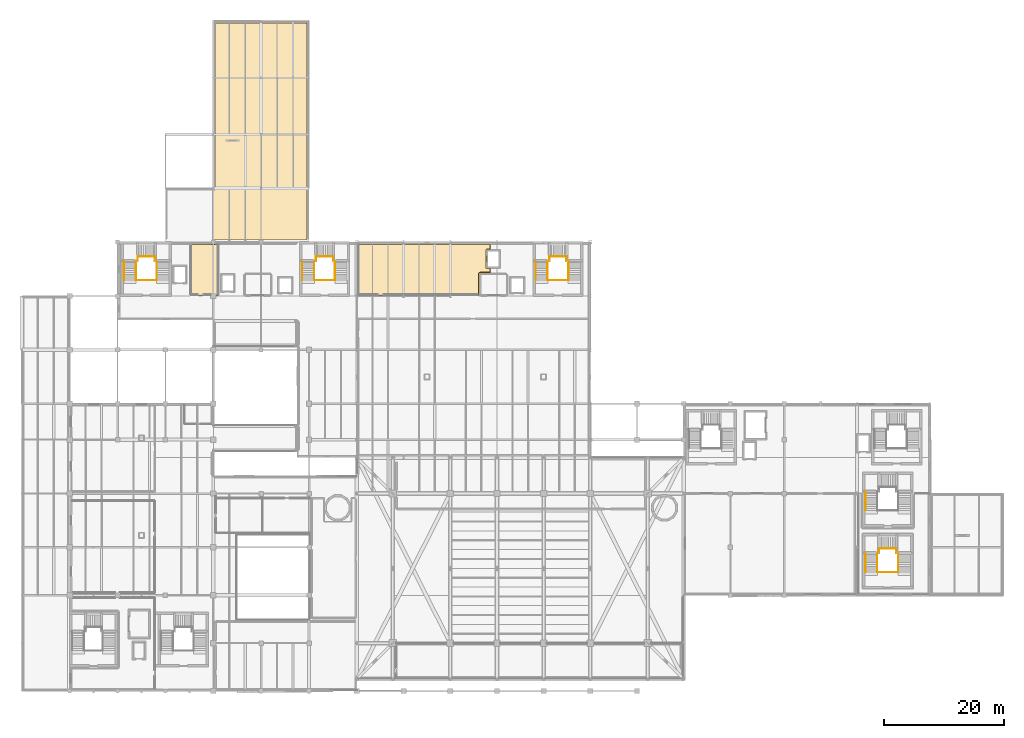
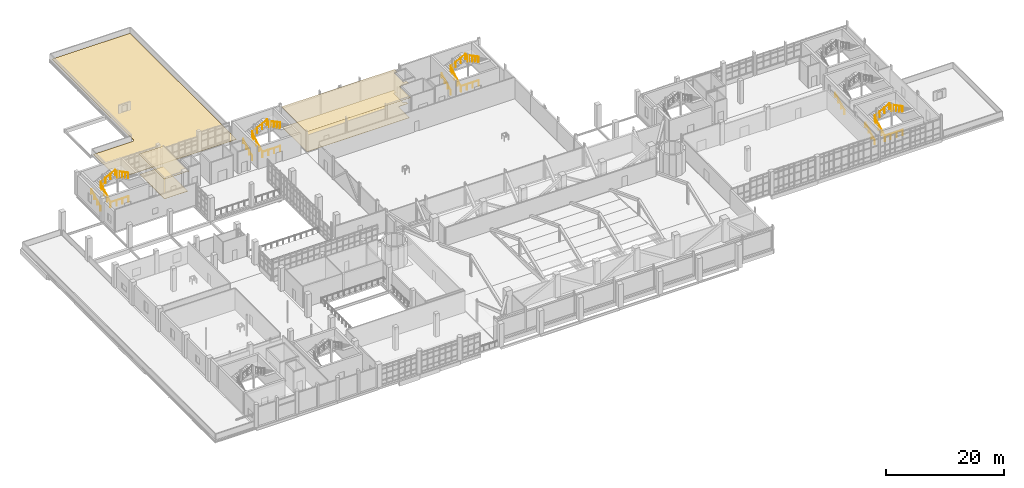
# One storey, part 126 of 127: 13 railings, 5 coverings.
"""IFC4 building model written with IfcOpenShell, lengths in metres."""

import ifcopenshell
import ifcopenshell.guid

model = None  # the IFC model being written
_history = None  # IfcOwnerHistory: only IFC2X3 demands one
_inside = {}  # id of a spatial element -> (the spatial element, [elements in it])
_under = {}  # id of a project, library or spatial element -> (it, [spatial elements below it])
_declared = {}  # id of a project -> (the project, [libraries it declares])
_typed = {}  # id of a type object -> (the type object, [elements of that type])
_made_of = {}  # id of a material, layer set ... -> (it, [elements and type objects made of it])


def new_model(schema):
    """Start an empty IFC model of exactly this schema.

    Asked for "IFC4X3", IfcOpenShell would pick the latest addendum, in which some entities
    have other attributes; the version numbers below select the first issue.
    IFC2X3 requires an IfcOwnerHistory on every rooted entity: one is made here for all.
    """
    global model, _history
    if schema == "IFC4X3":
        model = ifcopenshell.file(schema_version=(4, 3, 0, 0))
    else:
        model = ifcopenshell.file(schema=schema)
    _inside.clear()
    _under.clear()
    _declared.clear()
    _typed.clear()
    _made_of.clear()
    _history = None
    if model.schema == "IFC2X3":
        org = make("IfcOrganization", Name="unknown")
        user = make(
            "IfcPersonAndOrganization",
            ThePerson=make("IfcPerson", FamilyName="unknown"),
            TheOrganization=org,
        )
        app = make(
            "IfcApplication",
            ApplicationDeveloper=org,
            Version="unknown",
            ApplicationFullName="unknown",
            ApplicationIdentifier="unknown",
        )
        _history = make(
            "IfcOwnerHistory",
            OwningUser=user,
            OwningApplication=app,
            ChangeAction="ADDED",
            CreationDate=0,
        )
    return model


def make(cls, **values):
    """One entity of the class cls with the attributes given. An attribute that is None is left unset."""
    return model.create_entity(
        cls, **{name: value for name, value in values.items() if value is not None}
    )


def rooted(cls, **values):
    """An entity with a GlobalId (a new one), such as an element, a storey or a relation."""
    return make(cls, GlobalId=ifcopenshell.guid.new(), OwnerHistory=_history, **values)


def si_unit(unit_type, name, prefix=None):
    """IfcSIUnit, for example si_unit("LENGTHUNIT", "METRE", prefix="MILLI")."""
    return make("IfcSIUnit", UnitType=unit_type, Prefix=prefix, Name=name)


def derived_unit(unit_type, elements):
    """IfcDerivedUnit: a product of units, each with its exponent."""
    return make(
        "IfcDerivedUnit",
        Elements=[
            make("IfcDerivedUnitElement", Unit=unit, Exponent=power)
            for unit, power in elements
        ],
        UnitType=unit_type,
    )


def assignment(units):
    """IfcUnitAssignment: the units of a project."""
    return None if units is None else make("IfcUnitAssignment", Units=units)


def point(xyz):
    """IfcCartesianPoint."""
    return None if xyz is None else make("IfcCartesianPoint", Coordinates=xyz)


def direction(xyz):
    """IfcDirection."""
    return None if xyz is None else make("IfcDirection", DirectionRatios=xyz)


def frame(location, z_axis=None, x_axis=None):
    """IfcAxis2Placement3D, a coordinate frame: its origin and axes. An axis left out is left unset."""
    return make(
        "IfcAxis2Placement3D",
        Location=point(location),
        Axis=direction(z_axis),
        RefDirection=direction(x_axis),
    )


def frame_2d(location, x_axis=None):
    """IfcAxis2Placement2D, a coordinate frame in the plane: its origin and x axis."""
    return make(
        "IfcAxis2Placement2D", Location=point(location), RefDirection=direction(x_axis)
    )


def origin():
    """The frame at (0, 0, 0) with its axes left unset."""
    return frame((0.0, 0.0, 0.0))


def origin_2d():
    """The frame at (0, 0) in the plane with its x axis left unset."""
    return frame_2d((0.0, 0.0))


def place(relative_to, where):
    """IfcLocalPlacement: puts the frame where relative to a parent placement (None: the world)."""
    return make(
        "IfcLocalPlacement", PlacementRelTo=relative_to, RelativePlacement=where
    )


def context(
    kind, dimensions, precision=None, world=None, true_north=None, identifier=None
):
    """IfcGeometricRepresentationContext, for example the 3D "Model" context."""
    return make(
        "IfcGeometricRepresentationContext",
        ContextIdentifier=identifier,
        ContextType=kind,
        CoordinateSpaceDimension=dimensions,
        Precision=precision,
        WorldCoordinateSystem=world,
        TrueNorth=true_north,
    )


def subcontext(parent, identifier, kind, view, scale=None):
    """IfcGeometricRepresentationSubContext, for example "Body" below "Model"."""
    return make(
        "IfcGeometricRepresentationSubContext",
        ContextIdentifier=identifier,
        ContextType=kind,
        ParentContext=parent,
        TargetScale=scale,
        TargetView=view,
    )


def project(units=None, contexts=None):
    """IfcProject with its units and contexts."""
    return rooted(
        "IfcProject",
        Name="project",
        RepresentationContexts=contexts,
        UnitsInContext=assignment(units),
    )


def spatial(cls, under=None, at=None, **own):
    """A site, building, storey or space (cls), placed at a placement, below another one or the project."""
    s = rooted(cls, ObjectPlacement=at, **own)
    if under is not None:
        _under.setdefault(under.id(), (under, []))[1].append(s)
    return s


def polyline(points):
    """IfcPolyline through the points."""
    return make("IfcPolyline", Points=[point(p) for p in points])


def profile(cls, at=None, kind="AREA", **sizes):
    """A parametric profile (cls). Its sizes go by their IFC names, for example OverallWidth=200.0."""
    return make(cls, ProfileType=kind, Position=at, **sizes)


def circle(**sizes):
    """IfcCircleProfileDef."""
    return profile("IfcCircleProfileDef", **sizes)


def outline(outer, holes=None, kind="AREA"):
    """IfcArbitraryClosedProfileDef: a profile drawn as a closed curve; with holes, ...WithVoids."""
    if holes is None:
        return make("IfcArbitraryClosedProfileDef", ProfileType=kind, OuterCurve=outer)
    return make(
        "IfcArbitraryProfileDefWithVoids",
        ProfileType=kind,
        OuterCurve=outer,
        InnerCurves=holes,
    )


def extrude(swept, where, along, depth):
    """IfcExtrudedAreaSolid: the profile swept, set in the frame where, extruded along a direction by depth."""
    return make(
        "IfcExtrudedAreaSolid",
        SweptArea=swept,
        Position=where,
        ExtrudedDirection=direction(along),
        Depth=depth,
    )


def shape(context_of_items, identifier, shape_type, items):
    """IfcShapeRepresentation: the items that make up one representation, for example the "Body"."""
    return make(
        "IfcShapeRepresentation",
        ContextOfItems=context_of_items,
        RepresentationIdentifier=identifier,
        RepresentationType=shape_type,
        Items=items,
    )


def material(Name=None, Category=None):
    """IfcMaterial."""
    return make("IfcMaterial", Name=Name, Category=Category)


def layer(
    of_material, thickness, ventilated=None, Name=None, Category=None, Priority=None
):
    """IfcMaterialLayer: one layer of a wall or slab, of a material (None: an air gap)."""
    return make(
        "IfcMaterialLayer",
        Material=of_material,
        LayerThickness=thickness,
        IsVentilated=ventilated,
        Name=Name,
        Category=Category,
        Priority=Priority,
    )


def layer_set(layers, Name=None):
    """IfcMaterialLayerSet."""
    return make("IfcMaterialLayerSet", MaterialLayers=layers, LayerSetName=Name)


def made_of(thing, what):
    """Note that an element or type object is made of a material, layer set ...; save() writes the relation."""
    if what is not None:
        _made_of.setdefault(what.id(), (what, []))[1].append(thing)
    return thing


def type_object(cls, material=None, **own):
    """A type object (cls), such as IfcWallType, which elements share."""
    return made_of(rooted(cls, **own), material)


def element(
    cls,
    number,
    at=None,
    inside=None,
    cuts=None,
    type_object=None,
    material=None,
    context=None,
    identifier="Body",
    shape_type=None,
    held_by="IfcProductDefinitionShape",
    body=None,
    shapes=None,
    **own,
):
    """One element of the class cls, such as IfcWall. Its Tag is "e" and its number.

    at: its placement. inside: the storey or other place that contains it. cuts: it is an
    opening in that element (IfcRelVoidsElement). A single representation is given by context,
    identifier, shape_type and body (its items); several are given by shapes. held_by: the class
    of the entity that holds the representations. save() writes the other relations.
    """
    e = rooted(cls, Tag="e%d" % number, ObjectPlacement=at, **own)
    if body is not None:
        shapes = [shape(context, identifier, shape_type, body)]
    if shapes is not None:
        e.Representation = make(held_by, Representations=shapes)
    if inside is not None:
        _inside.setdefault(inside.id(), (inside, []))[1].append(e)
    if cuts is not None:
        rooted(
            "IfcRelVoidsElement", RelatingBuildingElement=cuts, RelatedOpeningElement=e
        )
    if type_object is not None:
        _typed.setdefault(type_object.id(), (type_object, []))[1].append(e)
    return made_of(e, material)


def aggregate(whole, parts):
    """IfcRelAggregates: a whole, such as a stair, and the parts it consists of."""
    return rooted("IfcRelAggregates", RelatingObject=whole, RelatedObjects=parts)


def save(model, path):
    """Write the relations noted so far, then the file.

    IfcRelAggregates (storeys below a building ...), IfcRelContainedInSpatialStructure (elements
    in a storey), IfcRelDefinesByType, IfcRelAssociatesMaterial and IfcRelDeclares: one each for
    every whole, place, type object, material and project.
    """
    for whole, parts in _under.values():
        aggregate(whole, parts)
    for where, things in _inside.values():
        rooted(
            "IfcRelContainedInSpatialStructure",
            RelatedElements=things,
            RelatingStructure=where,
        )
    for kind, things in _typed.values():
        rooted("IfcRelDefinesByType", RelatedObjects=things, RelatingType=kind)
    for what, things in _made_of.values():
        rooted("IfcRelAssociatesMaterial", RelatedObjects=things, RelatingMaterial=what)
    for by, libraries in _declared.values():
        rooted("IfcRelDeclares", RelatingContext=by, RelatedDefinitions=libraries)
    model.write(path)


model = new_model("IFC4")

# Units and contexts
model_context = context("Model", 3, precision=1e-05, world=origin(), true_north=direction((0.0, 1.0)))
body_context = subcontext(model_context, "Body", "Model", "MODEL_VIEW")
ifc_project = project(units=[si_unit("LENGTHUNIT", "METRE"), si_unit("AREAUNIT", "SQUARE_METRE"), si_unit("VOLUMEUNIT", "CUBIC_METRE"), si_unit("PLANEANGLEUNIT", "RADIAN"), si_unit("MASSUNIT", "GRAM", prefix="KILO"), derived_unit("THERMALTRANSMITTANCEUNIT", [(si_unit("POWERUNIT", "WATT"), 1), (si_unit("LENGTHUNIT", "METRE"), -2), (si_unit("THERMODYNAMICTEMPERATUREUNIT", "KELVIN"), -1)])], contexts=[model_context])

# Site, building, storey
site_placement = place(None, origin())
site = spatial("IfcSite", under=ifc_project, at=site_placement, CompositionType="ELEMENT")
building_placement = place(site_placement, origin())
building = spatial("IfcBuilding", under=site, at=building_placement, Name="Nallur Shell Playhouse", CompositionType="ELEMENT")
storey_placement = place(building_placement, frame((0.0, 0.0, 5.39990234375)))
storey = spatial("IfcBuildingStorey", under=building, at=storey_placement, Name="L02", CompositionType="ELEMENT", Elevation=5.39990234375)

# Coverings
ifc_material_1 = material(Name="Micro-Perforated Teak Veneer Acoustic Baffle Ceiling")
ifc_layer_1 = layer(ifc_material_1, 0.044921875)
ifc_layer_set_1 = layer_set([ifc_layer_1], Name="Micro-Perforated Teak Veneer Acoustic Baffle Ceiling")
covering_type_1 = type_object("IfcCoveringType", Name="CV-CEIL-AC1", PredefinedType="CEILING", material=ifc_layer_set_1)
covering_1_placement = place(storey_placement, frame((0.0, 0.0, 4.205078125)))
element("IfcCovering", 1, at=covering_1_placement, inside=storey, type_object=covering_type_1, Name="Costume Laundry & Steam Pressing Room suspended acoustic ceiling", PredefinedType="CEILING", context=body_context, shape_type="SweptSolid", body=[
    extrude(outline(polyline([(40.909912109375, 82.7099609375), (40.909912109375, 74.090087890625), (36.090087890625, 74.090087890625), (36.090087890625, 82.7099609375), (40.909912109375, 82.7099609375)])), origin(), (0.0, 0.0, 1.0), 0.044921875),
])
ifc_material_2 = material(Name="Mineral-Fibre High-NRC Suspended Ceiling Tile")
ifc_layer_2 = layer(ifc_material_2, 0.030029296875)
ifc_layer_set_2 = layer_set([ifc_layer_2], Name="Mineral-Fibre High-NRC Suspended Ceiling Tile")
covering_type_2 = type_object("IfcCoveringType", Name="CV-CEIL-AC2", PredefinedType="CEILING", material=ifc_layer_set_2)
covering_2_placement = place(storey_placement, frame((0.0, 0.0, 4.22021484375)))
element("IfcCovering", 2, at=covering_2_placement, inside=storey, type_object=covering_type_2, Name="Prop-Making & Sculpting Studio suspended acoustic ceiling", PredefinedType="CEILING", context=body_context, shape_type="SweptSolid", body=[
    extrude(outline(polyline([(84.59912109375, 77.8701171875), (84.585205078125, 77.869384765625), (84.580810546875, 77.868896484375), (84.569580078125, 77.8671875), (84.56494140625, 77.8662109375), (84.552978515625, 77.86328125), (84.548583984375, 77.86181640625), (84.537109375, 77.85791015625), (84.533447265625, 77.856201171875), (84.521728515625, 77.850830078125), (84.517822265625, 77.8486328125), (84.50732421875, 77.84228515625), (84.50341796875, 77.83984375), (84.494384765625, 77.8330078125), (84.490966796875, 77.830078125), (84.4814453125, 77.821533203125), (84.478515625, 77.818603515625), (84.4697265625, 77.80908203125), (84.466796875, 77.8056640625), (84.460205078125, 77.796630859375), (84.457763671875, 77.792724609375), (84.451416015625, 77.7822265625), (84.44921875, 77.7783203125), (84.443603515625, 77.7666015625), (84.442138671875, 77.7626953125), (84.43798828125, 77.75146484375), (84.436767578125, 77.7470703125), (84.433837890625, 77.735107421875), (84.432861328125, 77.73046875), (84.43115234375, 77.71923828125), (84.4306640625, 77.714599609375), (84.429931640625, 77.700927734375), (84.429931640625, 77.698974609375), (84.429931640625, 74.090087890625), (64.090087890625, 74.090087890625), (64.090087890625, 82.7099609375), (86.31005859375, 82.7099609375), (86.31005859375, 81.7099609375), (85.68994140625, 81.7099609375), (85.68994140625, 78.68994140625), (86.31005859375, 78.68994140625), (86.31005859375, 77.8701171875), (84.60107421875, 77.8701171875), (84.59912109375, 77.8701171875)])), origin(), (0.0, 0.0, 1.0), 0.02978515625),
])
ifc_material_3 = material(Name="Polished Chettinad Oxide & White Marble Terrazzo Flooring", Category="masonry")
ifc_layer_3 = layer(ifc_material_3, 0.050048828125)
ifc_layer_set_3 = layer_set([ifc_layer_3], Name="Polished Chettinad Oxide & White Marble Terrazzo Flooring")
covering_type_3 = type_object("IfcCoveringType", Name="CV-FLOR-TERRAZZO", PredefinedType="FLOORING", material=ifc_layer_set_3)
covering_3_placement = place(storey_placement, origin())
element("IfcCovering", 3, at=covering_3_placement, inside=storey, type_object=covering_type_3, Name="Costume Laundry & Steam Pressing Room floor finish", PredefinedType="FLOORING", context=body_context, shape_type="SweptSolid", body=[
    extrude(outline(polyline([(40.800048828125, 82.60009765625), (40.800048828125, 74.199951171875), (36.199951171875, 74.199951171875), (36.199951171875, 82.60009765625), (40.800048828125, 82.60009765625)])), origin(), (0.0, 0.0, 1.0), 0.050048828125),
])
covering_4_placement = place(storey_placement, origin())
element("IfcCovering", 4, at=covering_4_placement, inside=storey, type_object=covering_type_3, Name="Prop-Making & Sculpting Studio floor finish", PredefinedType="FLOORING", context=body_context, shape_type="SweptSolid", body=[
    extrude(outline(polyline([(85.6328125, 81.80810546875), (85.62451171875, 81.802978515625), (85.61669921875, 81.79736328125), (85.609375, 81.790771484375), (85.602783203125, 81.783447265625), (85.596923828125, 81.775634765625), (85.591796875, 81.76708984375), (85.587646484375, 81.75830078125), (85.584228515625, 81.7490234375), (85.581787109375, 81.739501953125), (85.58056640625, 81.729736328125), (85.580078125, 81.719970703125), (85.580078125, 78.679931640625), (85.58056640625, 78.670166015625), (85.581787109375, 78.660400390625), (85.584228515625, 78.65087890625), (85.587646484375, 78.6416015625), (85.591796875, 78.6328125), (85.596923828125, 78.62451171875), (85.602783203125, 78.61669921875), (85.609375, 78.609375), (85.61669921875, 78.602783203125), (85.62451171875, 78.596923828125), (85.6328125, 78.591796875), (85.6416015625, 78.587646484375), (85.65087890625, 78.584228515625), (85.660400390625, 78.581787109375), (85.670166015625, 78.58056640625), (85.679931640625, 78.580078125), (86.199951171875, 78.580078125), (86.199951171875, 77.97998046875), (84.60009765625, 77.97998046875), (84.59521484375, 77.97998046875), (84.577392578125, 77.97900390625), (84.567626953125, 77.97802734375), (84.55029296875, 77.9755859375), (84.54052734375, 77.973388671875), (84.5234375, 77.96923828125), (84.51416015625, 77.96630859375), (84.497314453125, 77.96044921875), (84.48828125, 77.956787109375), (84.472412109375, 77.94921875), (84.463623046875, 77.944580078125), (84.448486328125, 77.935302734375), (84.4404296875, 77.929931640625), (84.42626953125, 77.91943359375), (84.418701171875, 77.9130859375), (84.405517578125, 77.9013671875), (84.398681640625, 77.894287109375), (84.38671875, 77.88134765625), (84.380615234375, 77.873779296875), (84.3701171875, 77.859619140625), (84.364501953125, 77.851318359375), (84.35546875, 77.836181640625), (84.350830078125, 77.82763671875), (84.34326171875, 77.8115234375), (84.339599609375, 77.802490234375), (84.33349609375, 77.785888671875), (84.330810546875, 77.776611328125), (84.326416015625, 77.759521484375), (84.324462890625, 77.749755859375), (84.322021484375, 77.732421875), (84.321044921875, 77.722412109375), (84.320068359375, 77.704833984375), (84.320068359375, 77.699951171875), (84.320068359375, 74.199951171875), (64.199951171875, 74.199951171875), (64.199951171875, 82.60009765625), (86.199951171875, 82.60009765625), (86.199951171875, 81.820068359375), (85.679931640625, 81.820068359375), (85.670166015625, 81.819580078125), (85.660400390625, 81.818115234375), (85.65087890625, 81.815673828125), (85.6416015625, 81.8125), (85.6328125, 81.80810546875)])), origin(), (0.0, 0.0, 1.0), 0.050048828125),
])
ifc_material_4 = material(Name="Standing-Seam Zinc-Aluminium Acoustic Roof Build-Up", Category="aluminium")
ifc_layer_4 = layer(ifc_material_4, 0.080078125)
ifc_layer_set_4 = layer_set([ifc_layer_4], Name="Standing-Seam Zinc-Aluminium Acoustic Roof Build-Up")
covering_type_4 = type_object("IfcCoveringType", Name="CV-ROOF-MEMB2", PredefinedType="ROOFING", material=ifc_layer_set_4)
covering_5_placement = place(storey_placement, origin())
element("IfcCovering", 5, at=covering_5_placement, inside=storey, type_object=covering_type_4, Name="L02 insulated waterproof roof covering 10", PredefinedType="ROOFING", context=body_context, shape_type="SweptSolid", body=[
    extrude(outline(polyline([(55.64990234375, 119.64990234375), (55.64990234375, 83.35009765625), (32.35009765625, 83.35009765625), (32.35009765625, 91.64990234375), (40.0, 91.64990234375), (40.0341796875, 91.651611328125), (40.068359375, 91.65673828125), (40.1015625, 91.6650390625), (40.1337890625, 91.676513671875), (40.1650390625, 91.69140625), (40.1943359375, 91.708984375), (40.221923828125, 91.7294921875), (40.24755859375, 91.75244140625), (40.2705078125, 91.778076171875), (40.291015625, 91.8056640625), (40.30859375, 91.8349609375), (40.323486328125, 91.8662109375), (40.3349609375, 91.8984375), (40.34326171875, 91.931640625), (40.348388671875, 91.9658203125), (40.35009765625, 92.0), (40.35009765625, 119.64990234375), (55.64990234375, 119.64990234375)])), origin(), (0.0, 0.0, 1.0), 0.080078125),
])

# Railings
ifc_material_5 = material(Name="Brushed Stainless Steel 316 Balustrade & Toughened Infill", Category="steel")
railing_type_1 = type_object("IfcRailingType", Name="RL-GUARD-1100", PredefinedType="BALUSTRADE", material=ifc_material_5)
railing_1_placement = place(storey_placement, frame((56.860107421875, 76.699951171875, 0.0)))
element("IfcRailing", 6, at=railing_1_placement, inside=storey, type_object=railing_type_1, Name="Stair ST-03-L02 inner open-well guard", PredefinedType="BALUSTRADE", context=body_context, shape_type="SweptSolid", body=[
    extrude(circle(Radius=0.02392578125, at=origin_2d()), frame((0.0, 0.0, 1.15576171875), z_axis=(0.0, 0.885215135385, 0.465181861302), x_axis=(-1.0, 0.0, 0.0)), (0.0, 0.0, 1.0), 3.54736328125),
    extrude(circle(Radius=0.02392578125, at=origin_2d()), frame((0.0, 3.14013671875, 2.80615234375), z_axis=(1.0, 0.0, 0.0), x_axis=(0.0, 1.0, 0.0)), (0.0, 0.0, 1.0), 0.304931640625),
    extrude(circle(Radius=0.02392578125, at=origin_2d()), frame((0.304931640625, 3.14013671875, 2.80615234375), z_axis=(0.0, 1.0, 0.0), x_axis=(-1.0, 0.0, 0.0)), (0.0, 0.0, 1.0), 0.760009765625),
    extrude(circle(Radius=0.02392578125, at=origin_2d()), frame((0.304931640625, 3.900146484375, 2.80615234375), z_axis=(0.886245843587, 0.0, 0.46321518188), x_axis=(0.0, 1.0, 0.0)), (0.0, 0.0, 1.0), 3.23828125),
    extrude(circle(Radius=0.02392578125, at=origin_2d()), frame((3.1748046875, 3.900146484375, 4.30615234375), z_axis=(0.0, -1.0, 0.0), x_axis=(1.0, 0.0, 0.0)), (0.0, 0.0, 1.0), 0.760009765625),
    extrude(circle(Radius=0.02392578125, at=origin_2d()), frame((3.1748046875, 3.14013671875, 4.30615234375), z_axis=(1.0, 0.0, 0.0), x_axis=(0.0, 1.0, 0.0)), (0.0, 0.0, 1.0), 0.30517578125),
    extrude(circle(Radius=0.02392578125, at=origin_2d()), frame((3.47998046875, 3.14013671875, 4.30615234375), z_axis=(0.0, -0.885243475438, 0.465127927773), x_axis=(1.0, 0.0, 0.0)), (0.0, 0.0, 1.0), 3.547119140625),
    extrude(circle(Radius=0.02099609375, at=origin_2d()), origin(), (0.0, 0.0, 1.0), 1.1318359375),
    extrude(circle(Radius=0.02099609375, at=origin_2d()), frame((0.0, 1.046630859375, 0.550048828125)), (0.0, 0.0, 1.0), 1.1318359375),
    extrude(circle(Radius=0.02099609375, at=origin_2d()), frame((0.0, 2.093505859375, 1.10009765625)), (0.0, 0.0, 1.0), 1.1318359375),
    extrude(circle(Radius=0.02099609375, at=origin_2d()), frame((0.0, 3.14013671875, 1.650146484375)), (0.0, 0.0, 1.0), 1.1318359375),
    extrude(circle(Radius=0.02099609375, at=origin_2d()), frame((0.304931640625, 3.14013671875, 1.650146484375)), (0.0, 0.0, 1.0), 1.1318359375),
    extrude(circle(Radius=0.02099609375, at=origin_2d()), frame((0.304931640625, 3.900146484375, 1.650146484375)), (0.0, 0.0, 1.0), 1.1318359375),
    extrude(circle(Radius=0.02099609375, at=origin_2d()), frame((1.261474609375, 3.900146484375, 2.150146484375)), (0.0, 0.0, 1.0), 1.1318359375),
    extrude(circle(Radius=0.02099609375, at=origin_2d()), frame((2.21826171875, 3.900146484375, 2.650146484375)), (0.0, 0.0, 1.0), 1.1318359375),
    extrude(circle(Radius=0.02099609375, at=origin_2d()), frame((3.1748046875, 3.900146484375, 3.150146484375)), (0.0, 0.0, 1.0), 1.1318359375),
    extrude(circle(Radius=0.02099609375, at=origin_2d()), frame((3.1748046875, 3.14013671875, 3.150146484375)), (0.0, 0.0, 1.0), 1.1318359375),
    extrude(circle(Radius=0.02099609375, at=origin_2d()), frame((3.47998046875, 3.14013671875, 3.150146484375)), (0.0, 0.0, 1.0), 1.1318359375),
    extrude(circle(Radius=0.02099609375, at=origin_2d()), frame((3.47998046875, 2.093505859375, 3.7001953125)), (0.0, 0.0, 1.0), 1.1318359375),
    extrude(circle(Radius=0.02099609375, at=origin_2d()), frame((3.47998046875, 1.046630859375, 4.25)), (0.0, 0.0, 1.0), 1.1318359375),
    extrude(circle(Radius=0.02099609375, at=origin_2d()), frame((3.47998046875, 0.0, 4.800048828125)), (0.0, 0.0, 1.0), 1.1318359375),
])
railing_2_placement = place(storey_placement, frame((56.860107421875, 76.639892578125, 0.0)))
element("IfcRailing", 7, at=railing_2_placement, inside=storey, type_object=railing_type_1, Name="Stair ST-03-L02 floor-well guard", PredefinedType="BALUSTRADE", context=body_context, shape_type="SweptSolid", body=[
    extrude(circle(Radius=0.02392578125, at=origin_2d()), frame((0.0, 0.0, 1.09619140625), z_axis=(1.0, 0.0, 0.0), x_axis=(0.0, 1.0, 0.0)), (0.0, 0.0, 1.0), 3.47998046875),
    extrude(circle(Radius=0.02099609375, at=origin_2d()), origin(), (0.0, 0.0, 1.0), 1.072021484375),
    extrude(circle(Radius=0.02099609375, at=origin_2d()), frame((1.159912109375, 0.0, 0.0)), (0.0, 0.0, 1.0), 1.072021484375),
    extrude(circle(Radius=0.02099609375, at=origin_2d()), frame((2.320068359375, 0.0, 0.0)), (0.0, 0.0, 1.0), 1.072021484375),
    extrude(circle(Radius=0.02099609375, at=origin_2d()), frame((3.47998046875, 0.0, 0.0)), (0.0, 0.0, 1.0), 1.072021484375),
])
railing_3_placement = place(storey_placement, frame((95.860107421875, 76.699951171875, 0.0)))
element("IfcRailing", 8, at=railing_3_placement, inside=storey, type_object=railing_type_1, Name="Stair ST-04-L02 inner open-well guard", PredefinedType="BALUSTRADE", context=body_context, shape_type="SweptSolid", body=[
    extrude(circle(Radius=0.02392578125, at=origin_2d()), frame((0.0, 0.0, 1.15576171875), z_axis=(0.0, 0.885215135385, 0.465181861302), x_axis=(-1.0, 0.0, 0.0)), (0.0, 0.0, 1.0), 3.54736328125),
    extrude(circle(Radius=0.02392578125, at=origin_2d()), frame((0.0, 3.14013671875, 2.80615234375), z_axis=(1.0, 0.0, 0.0), x_axis=(0.0, 1.0, 0.0)), (0.0, 0.0, 1.0), 0.304931640625),
    extrude(circle(Radius=0.02392578125, at=origin_2d()), frame((0.304931640625, 3.14013671875, 2.80615234375), z_axis=(0.0, 1.0, 0.0), x_axis=(-1.0, 0.0, 0.0)), (0.0, 0.0, 1.0), 0.760009765625),
    extrude(circle(Radius=0.02392578125, at=origin_2d()), frame((0.304931640625, 3.900146484375, 2.80615234375), z_axis=(0.886245843587, 0.0, 0.46321518188), x_axis=(0.0, 1.0, 0.0)), (0.0, 0.0, 1.0), 3.23828125),
    extrude(circle(Radius=0.02392578125, at=origin_2d()), frame((3.1748046875, 3.900146484375, 4.30615234375), z_axis=(0.0, -1.0, 0.0), x_axis=(1.0, 0.0, 0.0)), (0.0, 0.0, 1.0), 0.760009765625),
    extrude(circle(Radius=0.02392578125, at=origin_2d()), frame((3.1748046875, 3.14013671875, 4.30615234375), z_axis=(1.0, 0.0, 0.0), x_axis=(0.0, 1.0, 0.0)), (0.0, 0.0, 1.0), 0.30517578125),
    extrude(circle(Radius=0.02392578125, at=origin_2d()), frame((3.47998046875, 3.14013671875, 4.30615234375), z_axis=(0.0, -0.885243475438, 0.465127927773), x_axis=(1.0, 0.0, 0.0)), (0.0, 0.0, 1.0), 3.547119140625),
    extrude(circle(Radius=0.02099609375, at=origin_2d()), origin(), (0.0, 0.0, 1.0), 1.1318359375),
    extrude(circle(Radius=0.02099609375, at=origin_2d()), frame((0.0, 1.046630859375, 0.550048828125)), (0.0, 0.0, 1.0), 1.1318359375),
    extrude(circle(Radius=0.02099609375, at=origin_2d()), frame((0.0, 2.093505859375, 1.10009765625)), (0.0, 0.0, 1.0), 1.1318359375),
    extrude(circle(Radius=0.02099609375, at=origin_2d()), frame((0.0, 3.14013671875, 1.650146484375)), (0.0, 0.0, 1.0), 1.1318359375),
    extrude(circle(Radius=0.02099609375, at=origin_2d()), frame((0.304931640625, 3.14013671875, 1.650146484375)), (0.0, 0.0, 1.0), 1.1318359375),
    extrude(circle(Radius=0.02099609375, at=origin_2d()), frame((0.304931640625, 3.900146484375, 1.650146484375)), (0.0, 0.0, 1.0), 1.1318359375),
    extrude(circle(Radius=0.02099609375, at=origin_2d()), frame((1.261474609375, 3.900146484375, 2.150146484375)), (0.0, 0.0, 1.0), 1.1318359375),
    extrude(circle(Radius=0.02099609375, at=origin_2d()), frame((2.21826171875, 3.900146484375, 2.650146484375)), (0.0, 0.0, 1.0), 1.1318359375),
    extrude(circle(Radius=0.02099609375, at=origin_2d()), frame((3.1748046875, 3.900146484375, 3.150146484375)), (0.0, 0.0, 1.0), 1.1318359375),
    extrude(circle(Radius=0.02099609375, at=origin_2d()), frame((3.1748046875, 3.14013671875, 3.150146484375)), (0.0, 0.0, 1.0), 1.1318359375),
    extrude(circle(Radius=0.02099609375, at=origin_2d()), frame((3.47998046875, 3.14013671875, 3.150146484375)), (0.0, 0.0, 1.0), 1.1318359375),
    extrude(circle(Radius=0.02099609375, at=origin_2d()), frame((3.47998046875, 2.093505859375, 3.7001953125)), (0.0, 0.0, 1.0), 1.1318359375),
    extrude(circle(Radius=0.02099609375, at=origin_2d()), frame((3.47998046875, 1.046630859375, 4.25)), (0.0, 0.0, 1.0), 1.1318359375),
    extrude(circle(Radius=0.02099609375, at=origin_2d()), frame((3.47998046875, 0.0, 4.800048828125)), (0.0, 0.0, 1.0), 1.1318359375),
])
railing_4_placement = place(storey_placement, frame((95.860107421875, 76.639892578125, 0.0)))
element("IfcRailing", 9, at=railing_4_placement, inside=storey, type_object=railing_type_1, Name="Stair ST-04-L02 floor-well guard", PredefinedType="BALUSTRADE", context=body_context, shape_type="SweptSolid", body=[
    extrude(circle(Radius=0.02392578125, at=origin_2d()), frame((0.0, 0.0, 1.09619140625), z_axis=(1.0, 0.0, 0.0), x_axis=(0.0, 1.0, 0.0)), (0.0, 0.0, 1.0), 3.47998046875),
    extrude(circle(Radius=0.02099609375, at=origin_2d()), origin(), (0.0, 0.0, 1.0), 1.072021484375),
    extrude(circle(Radius=0.02099609375, at=origin_2d()), frame((1.159912109375, 0.0, 0.0)), (0.0, 0.0, 1.0), 1.072021484375),
    extrude(circle(Radius=0.02099609375, at=origin_2d()), frame((2.320068359375, 0.0, 0.0)), (0.0, 0.0, 1.0), 1.072021484375),
    extrude(circle(Radius=0.02099609375, at=origin_2d()), frame((3.47998046875, 0.0, 0.0)), (0.0, 0.0, 1.0), 1.072021484375),
])
railing_5_placement = place(storey_placement, frame((27.06005859375, 76.699951171875, 0.0)))
element("IfcRailing", 10, at=railing_5_placement, inside=storey, type_object=railing_type_1, Name="Stair ST-06-L02 inner open-well guard", PredefinedType="BALUSTRADE", context=body_context, shape_type="SweptSolid", body=[
    extrude(circle(Radius=0.02392578125, at=origin_2d()), frame((0.0, 0.0, 1.15576171875), z_axis=(0.0, 0.885215135385, 0.465181861302), x_axis=(-1.0, 0.0, 0.0)), (0.0, 0.0, 1.0), 3.54736328125),
    extrude(circle(Radius=0.02392578125, at=origin_2d()), frame((0.0, 3.14013671875, 2.80615234375), z_axis=(1.0, 0.0, 0.0), x_axis=(0.0, 1.0, 0.0)), (0.0, 0.0, 1.0), 0.304931640625),
    extrude(circle(Radius=0.02392578125, at=origin_2d()), frame((0.304931640625, 3.14013671875, 2.80615234375), z_axis=(0.0, 1.0, 0.0), x_axis=(-1.0, 0.0, 0.0)), (0.0, 0.0, 1.0), 0.760009765625),
    extrude(circle(Radius=0.02392578125, at=origin_2d()), frame((0.304931640625, 3.900146484375, 2.80615234375), z_axis=(0.886262018935, 0.0, 0.463184233101), x_axis=(0.0, 1.0, 0.0)), (0.0, 0.0, 1.0), 3.238525390625),
    extrude(circle(Radius=0.02392578125, at=origin_2d()), frame((3.175048828125, 3.900146484375, 4.30615234375), z_axis=(0.0, -1.0, 0.0), x_axis=(1.0, 0.0, 0.0)), (0.0, 0.0, 1.0), 0.760009765625),
    extrude(circle(Radius=0.02392578125, at=origin_2d()), frame((3.175048828125, 3.14013671875, 4.30615234375), z_axis=(1.0, 0.0, 0.0), x_axis=(0.0, 1.0, 0.0)), (0.0, 0.0, 1.0), 0.304931640625),
    extrude(circle(Radius=0.02392578125, at=origin_2d()), frame((3.47998046875, 3.14013671875, 4.30615234375), z_axis=(0.0, -0.885243475438, 0.465127927773), x_axis=(1.0, 0.0, 0.0)), (0.0, 0.0, 1.0), 3.547119140625),
    extrude(circle(Radius=0.02099609375, at=origin_2d()), origin(), (0.0, 0.0, 1.0), 1.1318359375),
    extrude(circle(Radius=0.02099609375, at=origin_2d()), frame((0.0, 1.046630859375, 0.550048828125)), (0.0, 0.0, 1.0), 1.1318359375),
    extrude(circle(Radius=0.02099609375, at=origin_2d()), frame((0.0, 2.093505859375, 1.10009765625)), (0.0, 0.0, 1.0), 1.1318359375),
    extrude(circle(Radius=0.02099609375, at=origin_2d()), frame((0.0, 3.14013671875, 1.650146484375)), (0.0, 0.0, 1.0), 1.1318359375),
    extrude(circle(Radius=0.02099609375, at=origin_2d()), frame((0.304931640625, 3.14013671875, 1.650146484375)), (0.0, 0.0, 1.0), 1.1318359375),
    extrude(circle(Radius=0.02099609375, at=origin_2d()), frame((0.304931640625, 3.900146484375, 1.650146484375)), (0.0, 0.0, 1.0), 1.1318359375),
    extrude(circle(Radius=0.02099609375, at=origin_2d()), frame((1.26171875, 3.900146484375, 2.150146484375)), (0.0, 0.0, 1.0), 1.1318359375),
    extrude(circle(Radius=0.02099609375, at=origin_2d()), frame((2.21826171875, 3.900146484375, 2.650146484375)), (0.0, 0.0, 1.0), 1.1318359375),
    extrude(circle(Radius=0.02099609375, at=origin_2d()), frame((3.175048828125, 3.900146484375, 3.150146484375)), (0.0, 0.0, 1.0), 1.1318359375),
    extrude(circle(Radius=0.02099609375, at=origin_2d()), frame((3.175048828125, 3.14013671875, 3.150146484375)), (0.0, 0.0, 1.0), 1.1318359375),
    extrude(circle(Radius=0.02099609375, at=origin_2d()), frame((3.47998046875, 3.14013671875, 3.150146484375)), (0.0, 0.0, 1.0), 1.1318359375),
    extrude(circle(Radius=0.02099609375, at=origin_2d()), frame((3.47998046875, 2.093505859375, 3.7001953125)), (0.0, 0.0, 1.0), 1.1318359375),
    extrude(circle(Radius=0.02099609375, at=origin_2d()), frame((3.47998046875, 1.046630859375, 4.25)), (0.0, 0.0, 1.0), 1.1318359375),
    extrude(circle(Radius=0.02099609375, at=origin_2d()), frame((3.47998046875, 0.0, 4.800048828125)), (0.0, 0.0, 1.0), 1.1318359375),
])
railing_6_placement = place(storey_placement, frame((27.06005859375, 76.639892578125, 0.0)))
element("IfcRailing", 11, at=railing_6_placement, inside=storey, type_object=railing_type_1, Name="Stair ST-06-L02 floor-well guard", PredefinedType="BALUSTRADE", context=body_context, shape_type="SweptSolid", body=[
    extrude(circle(Radius=0.02392578125, at=origin_2d()), frame((0.0, 0.0, 1.09619140625), z_axis=(1.0, 0.0, 0.0), x_axis=(0.0, 1.0, 0.0)), (0.0, 0.0, 1.0), 3.47998046875),
    extrude(circle(Radius=0.02099609375, at=origin_2d()), origin(), (0.0, 0.0, 1.0), 1.072021484375),
    extrude(circle(Radius=0.02099609375, at=origin_2d()), frame((1.159912109375, 0.0, 0.0)), (0.0, 0.0, 1.0), 1.072021484375),
    extrude(circle(Radius=0.02099609375, at=origin_2d()), frame((2.320068359375, 0.0, 0.0)), (0.0, 0.0, 1.0), 1.072021484375),
    extrude(circle(Radius=0.02099609375, at=origin_2d()), frame((3.47998046875, 0.0, 0.0)), (0.0, 0.0, 1.0), 1.072021484375),
])
railing_7_placement = place(storey_placement, frame((150.9599609375, 27.89990234375, 0.0)))
element("IfcRailing", 12, at=railing_7_placement, inside=storey, type_object=railing_type_1, Name="Stair ST-08-L02 inner open-well guard", PredefinedType="BALUSTRADE", context=body_context, shape_type="SweptSolid", body=[
    extrude(circle(Radius=0.02392578125, at=origin_2d()), frame((0.0, 0.0, 1.15576171875), z_axis=(0.0, 0.885215135385, 0.465181861302), x_axis=(-1.0, 0.0, 0.0)), (0.0, 0.0, 1.0), 3.54736328125),
    extrude(circle(Radius=0.02392578125, at=origin_2d()), frame((0.0, 3.14013671875, 2.80615234375), z_axis=(1.0, 0.0, 0.0), x_axis=(0.0, 1.0, 0.0)), (0.0, 0.0, 1.0), 0.304931640625),
    extrude(circle(Radius=0.02392578125, at=origin_2d()), frame((0.304931640625, 3.14013671875, 2.80615234375), z_axis=(0.0, 1.0, 0.0), x_axis=(-1.0, 0.0, 0.0)), (0.0, 0.0, 1.0), 0.760009765625),
    extrude(circle(Radius=0.02392578125, at=origin_2d()), frame((0.304931640625, 3.900146484375, 2.80615234375), z_axis=(0.886262018935, 0.0, 0.463184233101), x_axis=(0.0, 1.0, 0.0)), (0.0, 0.0, 1.0), 3.238525390625),
    extrude(circle(Radius=0.02392578125, at=origin_2d()), frame((3.175048828125, 3.900146484375, 4.30615234375), z_axis=(0.0, -1.0, 0.0), x_axis=(1.0, 0.0, 0.0)), (0.0, 0.0, 1.0), 0.760009765625),
    extrude(circle(Radius=0.02392578125, at=origin_2d()), frame((3.175048828125, 3.14013671875, 4.30615234375), z_axis=(1.0, 0.0, 0.0), x_axis=(0.0, 1.0, 0.0)), (0.0, 0.0, 1.0), 0.304931640625),
    extrude(circle(Radius=0.02392578125, at=origin_2d()), frame((3.47998046875, 3.14013671875, 4.30615234375), z_axis=(0.0, -0.885243475438, 0.465127927773), x_axis=(1.0, 0.0, 0.0)), (0.0, 0.0, 1.0), 3.547119140625),
    extrude(circle(Radius=0.02099609375, at=origin_2d()), origin(), (0.0, 0.0, 1.0), 1.1318359375),
    extrude(circle(Radius=0.02099609375, at=origin_2d()), frame((0.0, 1.046630859375, 0.550048828125)), (0.0, 0.0, 1.0), 1.1318359375),
    extrude(circle(Radius=0.02099609375, at=origin_2d()), frame((0.0, 2.093505859375, 1.10009765625)), (0.0, 0.0, 1.0), 1.1318359375),
    extrude(circle(Radius=0.02099609375, at=origin_2d()), frame((0.0, 3.14013671875, 1.650146484375)), (0.0, 0.0, 1.0), 1.1318359375),
    extrude(circle(Radius=0.02099609375, at=origin_2d()), frame((0.304931640625, 3.14013671875, 1.650146484375)), (0.0, 0.0, 1.0), 1.1318359375),
    extrude(circle(Radius=0.02099609375, at=origin_2d()), frame((0.304931640625, 3.900146484375, 1.650146484375)), (0.0, 0.0, 1.0), 1.1318359375),
    extrude(circle(Radius=0.02099609375, at=origin_2d()), frame((1.26171875, 3.900146484375, 2.150146484375)), (0.0, 0.0, 1.0), 1.1318359375),
    extrude(circle(Radius=0.02099609375, at=origin_2d()), frame((2.21826171875, 3.900146484375, 2.650146484375)), (0.0, 0.0, 1.0), 1.1318359375),
    extrude(circle(Radius=0.02099609375, at=origin_2d()), frame((3.175048828125, 3.900146484375, 3.150146484375)), (0.0, 0.0, 1.0), 1.1318359375),
    extrude(circle(Radius=0.02099609375, at=origin_2d()), frame((3.175048828125, 3.14013671875, 3.150146484375)), (0.0, 0.0, 1.0), 1.1318359375),
    extrude(circle(Radius=0.02099609375, at=origin_2d()), frame((3.47998046875, 3.14013671875, 3.150146484375)), (0.0, 0.0, 1.0), 1.1318359375),
    extrude(circle(Radius=0.02099609375, at=origin_2d()), frame((3.47998046875, 2.093505859375, 3.7001953125)), (0.0, 0.0, 1.0), 1.1318359375),
    extrude(circle(Radius=0.02099609375, at=origin_2d()), frame((3.47998046875, 1.046630859375, 4.25)), (0.0, 0.0, 1.0), 1.1318359375),
    extrude(circle(Radius=0.02099609375, at=origin_2d()), frame((3.47998046875, 0.0, 4.800048828125)), (0.0, 0.0, 1.0), 1.1318359375),
])
railing_8_placement = place(storey_placement, frame((150.9599609375, 27.840087890625, 0.0)))
element("IfcRailing", 13, at=railing_8_placement, inside=storey, type_object=railing_type_1, Name="Stair ST-08-L02 floor-well guard", PredefinedType="BALUSTRADE", context=body_context, shape_type="SweptSolid", body=[
    extrude(circle(Radius=0.02392578125, at=origin_2d()), frame((0.0, 0.0, 1.09619140625), z_axis=(1.0, 0.0, 0.0), x_axis=(0.0, 1.0, 0.0)), (0.0, 0.0, 1.0), 3.47998046875),
    extrude(circle(Radius=0.02099609375, at=origin_2d()), origin(), (0.0, 0.0, 1.0), 1.072021484375),
    extrude(circle(Radius=0.02099609375, at=origin_2d()), frame((1.159912109375, 0.0, 0.0)), (0.0, 0.0, 1.0), 1.072021484375),
    extrude(circle(Radius=0.02099609375, at=origin_2d()), frame((2.320068359375, 0.0, 0.0)), (0.0, 0.0, 1.0), 1.072021484375),
    extrude(circle(Radius=0.02099609375, at=origin_2d()), frame((3.47998046875, 0.0, 0.0)), (0.0, 0.0, 1.0), 1.072021484375),
])
ifc_material_6 = material(Name="Stainless Steel 316 Continuous Tubular Handrail", Category="steel")
railing_type_2 = type_object("IfcRailingType", Name="RL-HANDRAIL-900", PredefinedType="HANDRAIL", material=ifc_material_6)
for number, where, name in (
    (14, (54.8798828125, 76.699951171875, 0.0), "Stair ST-03-L02 outer handrail F1"),
    (15, (93.8798828125, 76.699951171875, 0.0), "Stair ST-04-L02 outer handrail F1"),
    (16, (25.080078125, 76.699951171875, 0.0), "Stair ST-06-L02 outer handrail F1"),
    (17, (148.97998046875, 27.89990234375, 0.0), "Stair ST-08-L02 outer handrail F1"),
    (18, (148.97998046875, 38.199951171875, 0.0), "Stair ST-09-L02 outer handrail F1"),
):
    element("IfcRailing", number, at=place(storey_placement, frame(where)), inside=storey, type_object=railing_type_2, Name=name, PredefinedType="HANDRAIL", context=body_context, shape_type="SweptSolid", body=[
        extrude(circle(Radius=0.02392578125, at=origin_2d()), frame((0.0, 0.0, 0.89599609375), z_axis=(0.0, 0.882735597669, 0.469870050767), x_axis=(-1.0, 0.0, 0.0)), (0.0, 0.0, 1.0), 3.511962890625),
        extrude(circle(Radius=0.02099609375, at=origin_2d()), origin(), (0.0, 0.0, 1.0), 0.871826171875),
        extrude(circle(Radius=0.02099609375, at=origin_2d()), frame((0.0, 1.033447265625, 0.550048828125)), (0.0, 0.0, 1.0), 0.871826171875),
        extrude(circle(Radius=0.02099609375, at=origin_2d()), frame((0.0, 2.066650390625, 1.10009765625)), (0.0, 0.0, 1.0), 0.871826171875),
        extrude(circle(Radius=0.02099609375, at=origin_2d()), frame((0.0, 3.10009765625, 1.650146484375)), (0.0, 0.0, 1.0), 0.871826171875),
    ])

save(model, "model.ifc")
